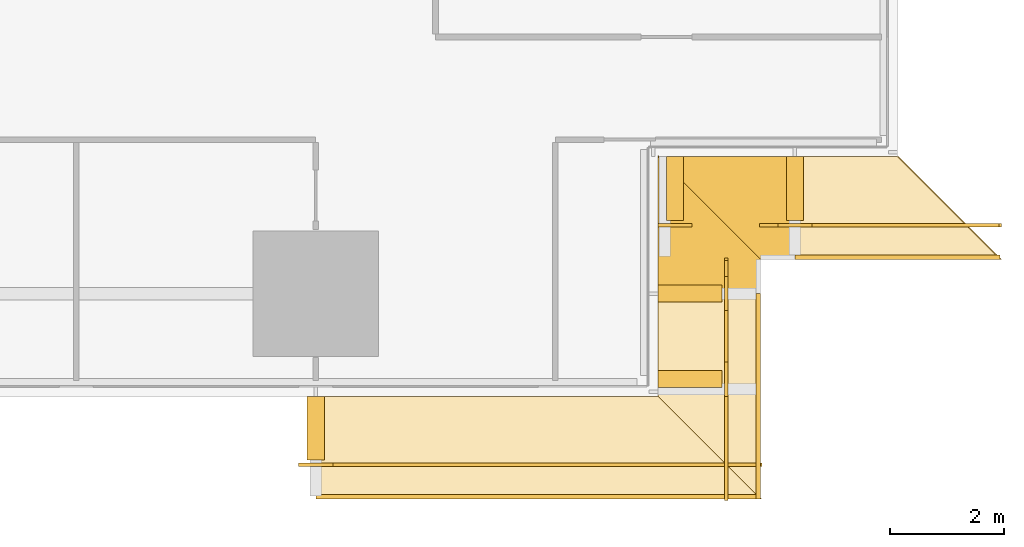
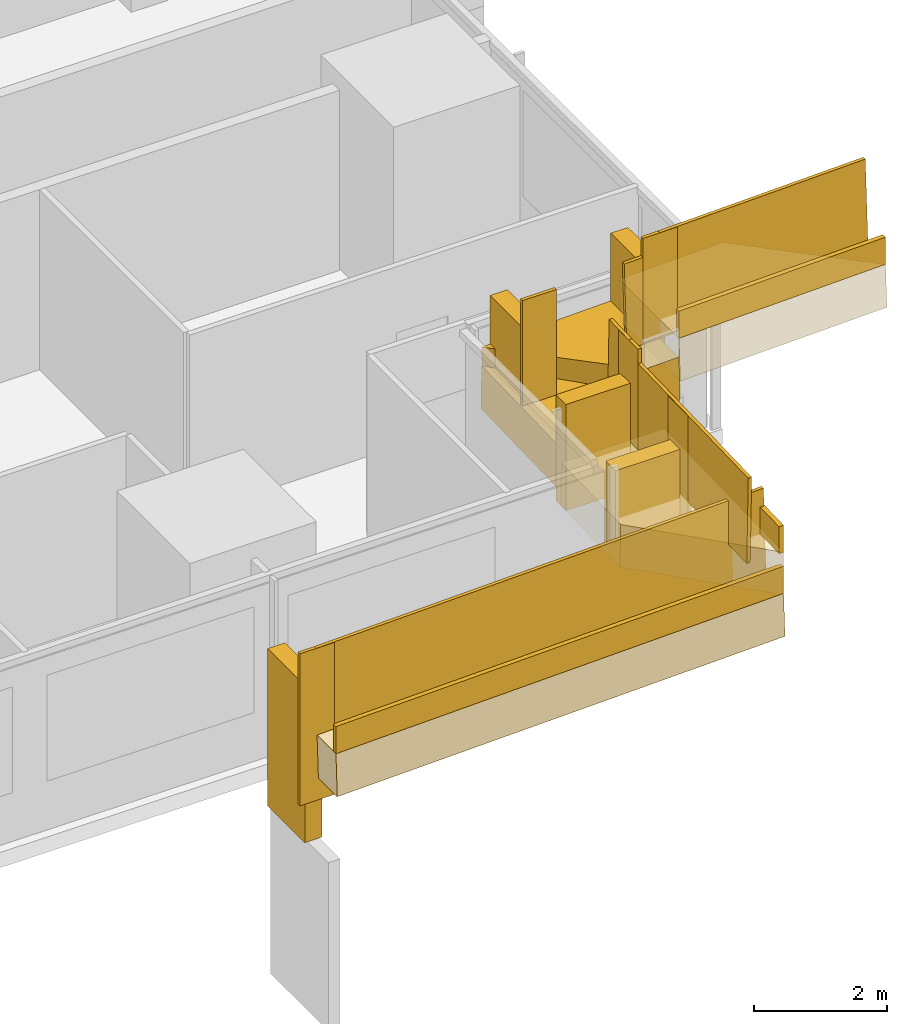
# One storey, part 27 of 29: 13 coverings, 10 railings.
"""IFC4 building model written with IfcOpenShell, lengths in metres."""

import ifcopenshell
import ifcopenshell.guid

model = None  # the IFC model being written
_history = None  # IfcOwnerHistory: only IFC2X3 demands one
_inside = {}  # id of a spatial element -> (the spatial element, [elements in it])
_under = {}  # id of a project, library or spatial element -> (it, [spatial elements below it])
_declared = {}  # id of a project -> (the project, [libraries it declares])
_typed = {}  # id of a type object -> (the type object, [elements of that type])
_made_of = {}  # id of a material, layer set ... -> (it, [elements and type objects made of it])


def new_model(schema):
    """Start an empty IFC model of exactly this schema.

    Asked for "IFC4X3", IfcOpenShell would pick the latest addendum, in which some entities
    have other attributes; the version numbers below select the first issue.
    IFC2X3 requires an IfcOwnerHistory on every rooted entity: one is made here for all.
    """
    global model, _history
    if schema == "IFC4X3":
        model = ifcopenshell.file(schema_version=(4, 3, 0, 0))
    else:
        model = ifcopenshell.file(schema=schema)
    _inside.clear()
    _under.clear()
    _declared.clear()
    _typed.clear()
    _made_of.clear()
    _history = None
    if model.schema == "IFC2X3":
        org = make("IfcOrganization", Name="unknown")
        user = make(
            "IfcPersonAndOrganization",
            ThePerson=make("IfcPerson", FamilyName="unknown"),
            TheOrganization=org,
        )
        app = make(
            "IfcApplication",
            ApplicationDeveloper=org,
            Version="unknown",
            ApplicationFullName="unknown",
            ApplicationIdentifier="unknown",
        )
        _history = make(
            "IfcOwnerHistory",
            OwningUser=user,
            OwningApplication=app,
            ChangeAction="ADDED",
            CreationDate=0,
        )
    return model


def make(cls, **values):
    """One entity of the class cls with the attributes given. An attribute that is None is left unset."""
    return model.create_entity(
        cls, **{name: value for name, value in values.items() if value is not None}
    )


def rooted(cls, **values):
    """An entity with a GlobalId (a new one), such as an element, a storey or a relation."""
    return make(cls, GlobalId=ifcopenshell.guid.new(), OwnerHistory=_history, **values)


def si_unit(unit_type, name, prefix=None):
    """IfcSIUnit, for example si_unit("LENGTHUNIT", "METRE", prefix="MILLI")."""
    return make("IfcSIUnit", UnitType=unit_type, Prefix=prefix, Name=name)


def assignment(units):
    """IfcUnitAssignment: the units of a project."""
    return None if units is None else make("IfcUnitAssignment", Units=units)


def point(xyz):
    """IfcCartesianPoint."""
    return None if xyz is None else make("IfcCartesianPoint", Coordinates=xyz)


def direction(xyz):
    """IfcDirection."""
    return None if xyz is None else make("IfcDirection", DirectionRatios=xyz)


def frame(location, z_axis=None, x_axis=None):
    """IfcAxis2Placement3D, a coordinate frame: its origin and axes. An axis left out is left unset."""
    return make(
        "IfcAxis2Placement3D",
        Location=point(location),
        Axis=direction(z_axis),
        RefDirection=direction(x_axis),
    )


def frame_2d(location, x_axis=None):
    """IfcAxis2Placement2D, a coordinate frame in the plane: its origin and x axis."""
    return make(
        "IfcAxis2Placement2D", Location=point(location), RefDirection=direction(x_axis)
    )


def origin():
    """The frame at (0, 0, 0) with its axes left unset."""
    return frame((0.0, 0.0, 0.0))


def origin_2d():
    """The frame at (0, 0) in the plane with its x axis left unset."""
    return frame_2d((0.0, 0.0))


def place(relative_to, where):
    """IfcLocalPlacement: puts the frame where relative to a parent placement (None: the world)."""
    return make(
        "IfcLocalPlacement", PlacementRelTo=relative_to, RelativePlacement=where
    )


def context(
    kind, dimensions, precision=None, world=None, true_north=None, identifier=None
):
    """IfcGeometricRepresentationContext, for example the 3D "Model" context."""
    return make(
        "IfcGeometricRepresentationContext",
        ContextIdentifier=identifier,
        ContextType=kind,
        CoordinateSpaceDimension=dimensions,
        Precision=precision,
        WorldCoordinateSystem=world,
        TrueNorth=true_north,
    )


def subcontext(parent, identifier, kind, view, scale=None):
    """IfcGeometricRepresentationSubContext, for example "Body" below "Model"."""
    return make(
        "IfcGeometricRepresentationSubContext",
        ContextIdentifier=identifier,
        ContextType=kind,
        ParentContext=parent,
        TargetScale=scale,
        TargetView=view,
    )


def project(units=None, contexts=None):
    """IfcProject with its units and contexts."""
    return rooted(
        "IfcProject",
        Name="project",
        RepresentationContexts=contexts,
        UnitsInContext=assignment(units),
    )


def spatial(cls, under=None, at=None, **own):
    """A site, building, storey or space (cls), placed at a placement, below another one or the project."""
    s = rooted(cls, ObjectPlacement=at, **own)
    if under is not None:
        _under.setdefault(under.id(), (under, []))[1].append(s)
    return s


def polyline(points):
    """IfcPolyline through the points."""
    return make("IfcPolyline", Points=[point(p) for p in points])


def profile(cls, at=None, kind="AREA", **sizes):
    """A parametric profile (cls). Its sizes go by their IFC names, for example OverallWidth=200.0."""
    return make(cls, ProfileType=kind, Position=at, **sizes)


def rectangle(**sizes):
    """IfcRectangleProfileDef."""
    return profile("IfcRectangleProfileDef", **sizes)


def outline(outer, holes=None, kind="AREA"):
    """IfcArbitraryClosedProfileDef: a profile drawn as a closed curve; with holes, ...WithVoids."""
    if holes is None:
        return make("IfcArbitraryClosedProfileDef", ProfileType=kind, OuterCurve=outer)
    return make(
        "IfcArbitraryProfileDefWithVoids",
        ProfileType=kind,
        OuterCurve=outer,
        InnerCurves=holes,
    )


def extrude(swept, where, along, depth):
    """IfcExtrudedAreaSolid: the profile swept, set in the frame where, extruded along a direction by depth."""
    return make(
        "IfcExtrudedAreaSolid",
        SweptArea=swept,
        Position=where,
        ExtrudedDirection=direction(along),
        Depth=depth,
    )


def shape(context_of_items, identifier, shape_type, items):
    """IfcShapeRepresentation: the items that make up one representation, for example the "Body"."""
    return make(
        "IfcShapeRepresentation",
        ContextOfItems=context_of_items,
        RepresentationIdentifier=identifier,
        RepresentationType=shape_type,
        Items=items,
    )


def material(Name=None, Category=None):
    """IfcMaterial."""
    return make("IfcMaterial", Name=Name, Category=Category)


def layer(
    of_material, thickness, ventilated=None, Name=None, Category=None, Priority=None
):
    """IfcMaterialLayer: one layer of a wall or slab, of a material (None: an air gap)."""
    return make(
        "IfcMaterialLayer",
        Material=of_material,
        LayerThickness=thickness,
        IsVentilated=ventilated,
        Name=Name,
        Category=Category,
        Priority=Priority,
    )


def layer_set(layers, Name=None):
    """IfcMaterialLayerSet."""
    return make("IfcMaterialLayerSet", MaterialLayers=layers, LayerSetName=Name)


def made_of(thing, what):
    """Note that an element or type object is made of a material, layer set ...; save() writes the relation."""
    if what is not None:
        _made_of.setdefault(what.id(), (what, []))[1].append(thing)
    return thing


def type_object(cls, material=None, **own):
    """A type object (cls), such as IfcWallType, which elements share."""
    return made_of(rooted(cls, **own), material)


def element(
    cls,
    number,
    at=None,
    inside=None,
    cuts=None,
    type_object=None,
    material=None,
    context=None,
    identifier="Body",
    shape_type=None,
    held_by="IfcProductDefinitionShape",
    body=None,
    shapes=None,
    **own,
):
    """One element of the class cls, such as IfcWall. Its Tag is "e" and its number.

    at: its placement. inside: the storey or other place that contains it. cuts: it is an
    opening in that element (IfcRelVoidsElement). A single representation is given by context,
    identifier, shape_type and body (its items); several are given by shapes. held_by: the class
    of the entity that holds the representations. save() writes the other relations.
    """
    e = rooted(cls, Tag="e%d" % number, ObjectPlacement=at, **own)
    if body is not None:
        shapes = [shape(context, identifier, shape_type, body)]
    if shapes is not None:
        e.Representation = make(held_by, Representations=shapes)
    if inside is not None:
        _inside.setdefault(inside.id(), (inside, []))[1].append(e)
    if cuts is not None:
        rooted(
            "IfcRelVoidsElement", RelatingBuildingElement=cuts, RelatedOpeningElement=e
        )
    if type_object is not None:
        _typed.setdefault(type_object.id(), (type_object, []))[1].append(e)
    return made_of(e, material)


def aggregate(whole, parts):
    """IfcRelAggregates: a whole, such as a stair, and the parts it consists of."""
    return rooted("IfcRelAggregates", RelatingObject=whole, RelatedObjects=parts)


def save(model, path):
    """Write the relations noted so far, then the file.

    IfcRelAggregates (storeys below a building ...), IfcRelContainedInSpatialStructure (elements
    in a storey), IfcRelDefinesByType, IfcRelAssociatesMaterial and IfcRelDeclares: one each for
    every whole, place, type object, material and project.
    """
    for whole, parts in _under.values():
        aggregate(whole, parts)
    for where, things in _inside.values():
        rooted(
            "IfcRelContainedInSpatialStructure",
            RelatedElements=things,
            RelatingStructure=where,
        )
    for kind, things in _typed.values():
        rooted("IfcRelDefinesByType", RelatedObjects=things, RelatingType=kind)
    for what, things in _made_of.values():
        rooted("IfcRelAssociatesMaterial", RelatedObjects=things, RelatingMaterial=what)
    for by, libraries in _declared.values():
        rooted("IfcRelDeclares", RelatingContext=by, RelatedDefinitions=libraries)
    model.write(path)


model = new_model("IFC4")

# Units and contexts
model_context = context("Model", 3, precision=1e-05, world=origin(), true_north=direction((0.0, 1.0)))
body_context = subcontext(model_context, "Body", "Model", "MODEL_VIEW")
ifc_project = project(units=[si_unit("LENGTHUNIT", "METRE"), si_unit("AREAUNIT", "SQUARE_METRE"), si_unit("VOLUMEUNIT", "CUBIC_METRE"), si_unit("PLANEANGLEUNIT", "RADIAN"), si_unit("MASSUNIT", "GRAM", prefix="KILO")], contexts=[model_context])

# Site, building, storey
site_placement = place(None, origin())
site = spatial("IfcSite", under=ifc_project, at=site_placement, CompositionType="ELEMENT")
building_placement = place(site_placement, origin())
building = spatial("IfcBuilding", under=site, at=building_placement, Name="Saffron Gate Tower", CompositionType="ELEMENT")
storey_placement = place(building_placement, frame((0.0, 0.0, 48.0)))
storey = spatial("IfcBuildingStorey", under=building, at=storey_placement, Name="L10", CompositionType="ELEMENT", Elevation=48.0)

# Coverings
ifc_material = material(Name="Timber, thermally modified ash", Category="wood")
ifc_layer_1 = layer(ifc_material, 0.800048828125)
ifc_layer_set_1 = layer_set([ifc_layer_1], Name="LD1 ledge timber")
covering_type_1 = type_object("IfcCoveringType", Name="LD1 ledge timber", PredefinedType="CLADDING", material=ifc_layer_set_1)
covering_1_placement = place(storey_placement, frame((117.0, 30.0, 1.2265625), z_axis=(-0.028789477025, -2.391759e-05, 0.999585496814), x_axis=(0.9995854971, 1.72e-10, 0.028789477033)))
element("IfcCovering", 1, at=covering_1_placement, inside=storey, type_object=covering_type_1, Name="LEDGE", PredefinedType="CLADDING", context=body_context, shape_type="SweptSolid", body=[
    extrude(outline(polyline([(0.0, 0.0), (6.002489288687248, 8.470329472543003e-22), (7.80328207139786, -1.8000488299785034), (-3.0879623774719253e-10, -1.8000488276101398), (0.0, 0.0)])), origin(), (0.0, 0.0, -1.0), 0.800048828125),
])
covering_2_placement = place(storey_placement, frame((123.0, 30.0, 2.2568359375), z_axis=(0.0, -0.028741681402, 0.999586872538), x_axis=(0.0, 0.999586872538, 0.028741681402)))
element("IfcCovering", 2, at=covering_2_placement, inside=storey, type_object=covering_type_1, Name="LEDGE", PredefinedType="CLADDING", context=body_context, shape_type="SweptSolid", body=[
    extrude(outline(polyline([(0.0, 0.0), (1.8007927850779974, 0.0), (1.8007927850779974, -1.800048828125), (-1.8007927850779974, -1.800048828125), (0.0, 0.0)])), origin(), (0.0, 0.0, -1.0), 0.800048828125),
])
covering_3_placement = place(storey_placement, frame((123.0, 31.800048828125, 2.56591796875), z_axis=(-2.8677152e-05, -0.028798988267, 0.999585222706), x_axis=(-6.17e-10, 0.999585223117, 0.028798988279)))
element("IfcCovering", 3, at=covering_3_placement, inside=storey, type_object=covering_type_1, Name="LEDGE", PredefinedType="CLADDING", context=body_context, shape_type="SweptSolid", body=[
    extrude(outline(polyline([(0.0, 0.0), (2.400896693585025, 4.235164736271502e-22), (0.6001039103565923, -1.8000488292351675), (-1.1098572600196767e-09, -1.8000488273848385), (0.0, 0.0)])), origin(), (0.0, 0.0, -1.0), 0.800048828125),
])
covering_4_placement = place(storey_placement, frame((123.0, 34.199951171875, 2.97802734375), z_axis=(-0.028798988267, -2.8677152e-05, 0.999585222706), x_axis=(0.999585223117, -6.17e-10, 0.028798988279)))
element("IfcCovering", 4, at=covering_4_placement, inside=storey, type_object=covering_type_1, Name="LEDGE", PredefinedType="CLADDING", context=body_context, shape_type="SweptSolid", body=[
    extrude(outline(polyline([(0.0, 0.0), (2.400896693585025, -4.235164736271502e-22), (2.400896694694882, -1.8000488273848385), (1.8007927832284332, -1.8000488292351673), (0.0, 0.0)])), origin(), (0.0, 0.0, -1.0), 0.800048828125),
])
covering_5_placement = place(storey_placement, frame((125.39990234375, 34.199951171875, 3.39013671875), z_axis=(-0.028786835276, 4.5191264e-05, 0.999585572161), x_axis=(0.999585573182, 2.041e-09, 0.028786835305)))
element("IfcCovering", 5, at=covering_5_placement, inside=storey, type_object=covering_type_1, Name="LEDGE", PredefinedType="CLADDING", context=body_context, shape_type="SweptSolid", body=[
    extrude(outline(polyline([(0.0, 0.0), (1.8007927832406818, 0.0), (3.601592590842695, -1.8000488373153904), (-3.674631647332522e-09, -1.800048826286925), (0.0, 0.0)])), origin(), (0.0, 0.0, -1.0), 0.800048828125),
])
ifc_layer_2 = layer(ifc_material, 0.080078125)
ifc_layer_set_2 = layer_set([ifc_layer_2], Name="LD2 ledge planter trough")
covering_type_2 = type_object("IfcCoveringType", Name="LD2 ledge planter trough", PredefinedType="CLADDING", material=ifc_layer_set_2)
covering_6_placement = place(storey_placement, frame((117.0, 28.199951171875, 1.2265625), z_axis=(0.0, -1.0, 0.0), x_axis=(0.999585655924, 0.0, 0.028783962047)))
element("IfcCovering", 6, at=covering_6_placement, inside=storey, type_object=covering_type_2, Name="LEDGE planter trough", PredefinedType="CLADDING", context=body_context, shape_type="SweptSolid", body=[
    extrude(outline(polyline([(0.0, 0.0), (7.803282071825423, 2.7755575615628914e-17), (7.817674052849086, 0.4997928279619612), (0.014391981023662846, 0.4997928279619612), (0.0, 0.0)])), origin(), (0.0, 0.0, -1.0), 0.080078125),
])
covering_7_placement = place(storey_placement, frame((124.800048828125, 28.199951171875, 2.205078125), z_axis=(1.0, 0.0, 0.0), x_axis=(0.0, 0.999586872538, 0.028741681402)))
element("IfcCovering", 7, at=covering_7_placement, inside=storey, type_object=covering_type_2, Name="LEDGE planter trough", PredefinedType="CLADDING", context=body_context, shape_type="SweptSolid", body=[
    extrude(outline(polyline([(0.0, 0.0), (3.601585570155995, 0.0), (3.6159564108570694, 0.49979343626896944), (0.014370840701074394, 0.4997934362689694), (0.0, 0.0)])), origin(), (0.0, 0.0, -1.0), 0.080078125),
])
covering_8_placement = place(storey_placement, frame((125.39990234375, 32.39990234375, 3.39013671875), z_axis=(0.0, -1.0, 0.0), x_axis=(0.99958492274, 0.0, 0.028809412191)))
element("IfcCovering", 8, at=covering_8_placement, inside=storey, type_object=covering_type_2, Name="LEDGE planter trough", PredefinedType="CLADDING", context=body_context, shape_type="SweptSolid", body=[
    extrude(outline(polyline([(0.0, 0.0), (3.601592595435983, 0.0), (3.6159973015313485, 0.4997924613700232), (0.014404706095365512, 0.4997924613700232), (0.0, 0.0)])), origin(), (0.0, 0.0, -1.0), 0.080078125),
])
ifc_layer_3 = layer(ifc_material, 0.300048828125)
ifc_layer_set_3 = layer_set([ifc_layer_3], Name="LD3 ledge riser fin")
covering_type_3 = type_object("IfcCoveringType", Name="LD3 ledge riser fin", PredefinedType="CLADDING", material=ifc_layer_set_3)
covering_9_placement = place(storey_placement, frame((117.0, 29.43994140625, -0.773681640625), z_axis=(0.0, 0.0, 1.0), x_axis=(1.0, 0.0, 0.0)))
element("IfcCovering", 9, at=covering_9_placement, inside=storey, type_object=covering_type_3, Name="LEDGE riser fin", PredefinedType="CLADDING", context=body_context, shape_type="SweptSolid", body=[
    extrude(rectangle(XDim=0.300048828125, YDim=1.1201171875, at=origin_2d()), origin(), (0.0, 0.0, 1.0), 2.900390625),
])
covering_10_placement = place(storey_placement, frame((123.56005859375, 30.300048828125, 0.599609375), z_axis=(0.0, 0.0, 1.0), x_axis=(0.0, 1.0, 0.0)))
element("IfcCovering", 10, at=covering_10_placement, inside=storey, type_object=covering_type_3, Name="LEDGE riser fin", PredefinedType="CLADDING", context=body_context, shape_type="SweptSolid", body=[
    extrude(rectangle(XDim=0.300048828125, YDim=1.1201171875, at=origin_2d()), origin(), (0.0, 0.0, 1.0), 2.557373046875),
])
covering_11_placement = place(storey_placement, frame((123.56005859375, 31.800048828125, 1.5087890625), z_axis=(0.0, 0.0, 1.0), x_axis=(0.0, 1.0, 0.0)))
element("IfcCovering", 11, at=covering_11_placement, inside=storey, type_object=covering_type_3, Name="LEDGE riser fin", PredefinedType="CLADDING", context=body_context, shape_type="SweptSolid", body=[
    extrude(rectangle(XDim=0.300048828125, YDim=1.1201171875, at=origin_2d()), origin(), (0.0, 0.0, 1.0), 1.957275390625),
])
for number, where, z_axis, x_axis, name in (
    (12, (123.300048828125, 33.639892578125, 1.8349609375), (0.0, 0.0, 1.0), (1.0, 0.0, 0.0), "LEDGE riser fin"),
    (13, (125.39990234375, 33.639892578125, 2.2470703125), (0.0, 0.0, 1.0), (1.0, 0.0, 0.0), "LEDGE riser fin"),
):
    element("IfcCovering", number, at=place(storey_placement, frame(where, z_axis=z_axis, x_axis=x_axis)), inside=storey, type_object=covering_type_3, Name=name, PredefinedType="CLADDING", context=body_context, shape_type="SweptSolid", body=[
        extrude(rectangle(XDim=0.300048828125, YDim=1.1201171875, at=origin_2d()), origin(), (0.0, 0.0, 1.0), 2.04296875),
    ])

# Railings
railing_type = type_object("IfcRailingType", Name="LG1 ledge balustrade", PredefinedType="BALUSTRADE", material=ifc_material)
railing_1_placement = place(storey_placement, frame((117.0, 28.800048828125, 1.2265625)))
element("IfcRailing", 14, at=railing_1_placement, inside=storey, type_object=railing_type, Name="LEDGE BALUSTRADE", PredefinedType="BALUSTRADE", context=body_context, shape_type="SweptSolid", body=[
    extrude(rectangle(XDim=0.06005859375, YDim=1.60009765625, at=origin_2d()), frame((0.0, 0.0, 0.800048828125), z_axis=(0.999585655924, 0.0, 0.028783962047), x_axis=(0.0, 1.0, 0.0)), (0.0, 0.0, 1.0), 7.80322265625),
])
railing_2_placement = place(storey_placement, frame((116.699951171875, 28.800048828125, 0.026123046875)))
element("IfcRailing", 15, at=railing_2_placement, inside=storey, type_object=railing_type, Name="LEDGE BALUSTRADE", PredefinedType="BALUSTRADE", context=body_context, shape_type="SweptSolid", body=[
    extrude(rectangle(XDim=0.06005859375, YDim=2.80029296875, at=origin_2d()), frame((0.0, 0.0, 1.400146484375), z_axis=(1.0, 0.0, 0.0), x_axis=(0.0, 1.0, 0.0)), (0.0, 0.0, 1.0), 0.60009765625),
])
railing_3_placement = place(storey_placement, frame((124.199951171875, 28.199951171875, 2.205078125)))
element("IfcRailing", 16, at=railing_3_placement, inside=storey, type_object=railing_type, Name="LEDGE BALUSTRADE", PredefinedType="BALUSTRADE", context=body_context, shape_type="SweptSolid", body=[
    extrude(rectangle(XDim=0.06005859375, YDim=1.60009765625, at=origin_2d()), frame((0.0, 0.0, 0.800048828125), z_axis=(0.0, 0.999586872538, 0.028741681402), x_axis=(-1.0, 0.0, 0.0)), (0.0, 0.0, 1.0), 3.6015625),
])
railing_4_placement = place(storey_placement, frame((124.199951171875, 30.0, 1.3994140625)))
element("IfcRailing", 17, at=railing_4_placement, inside=storey, type_object=railing_type, Name="LEDGE BALUSTRADE", PredefinedType="BALUSTRADE", context=body_context, shape_type="SweptSolid", body=[
    extrude(rectangle(XDim=0.06005859375, YDim=2.45751953125, at=origin_2d()), frame((0.0, 0.0, 1.228759765625), z_axis=(0.0, 1.0, 0.0), x_axis=(-1.0, 0.0, 0.0)), (0.0, 0.0, 1.0), 0.60009765625),
])
railing_5_placement = place(storey_placement, frame((124.199951171875, 31.800048828125, 2.56591796875)))
element("IfcRailing", 18, at=railing_5_placement, inside=storey, type_object=railing_type, Name="LEDGE BALUSTRADE", PredefinedType="BALUSTRADE", context=body_context, shape_type="SweptSolid", body=[
    extrude(rectangle(XDim=0.06005859375, YDim=1.60009765625, at=origin_2d()), frame((0.0, 0.0, 0.800048828125), z_axis=(0.0, 0.999582742162, 0.028884971385), x_axis=(-1.0, 0.0, 0.0)), (0.0, 0.0, 1.0), 0.60009765625),
])
railing_6_placement = place(storey_placement, frame((124.199951171875, 31.5, 2.30859375)))
element("IfcRailing", 19, at=railing_6_placement, inside=storey, type_object=railing_type, Name="LEDGE BALUSTRADE", PredefinedType="BALUSTRADE", context=body_context, shape_type="SweptSolid", body=[
    extrude(rectangle(XDim=0.06005859375, YDim=1.857177734375, at=origin_2d()), frame((0.0, 0.0, 0.9287109375), z_axis=(0.0, 1.0, 0.0), x_axis=(-1.0, 0.0, 0.0)), (0.0, 0.0, 1.0), 0.60009765625),
])
railing_7_placement = place(storey_placement, frame((124.800048828125, 33.0, 3.02978515625)))
element("IfcRailing", 20, at=railing_7_placement, inside=storey, type_object=railing_type, Name="LEDGE BALUSTRADE", PredefinedType="BALUSTRADE", context=body_context, shape_type="SweptSolid", body=[
    extrude(rectangle(XDim=0.06005859375, YDim=1.60009765625, at=origin_2d()), frame((0.0, 0.0, 0.800048828125), z_axis=(0.999582742162, 0.0, 0.028884971385), x_axis=(0.0, 1.0, 0.0)), (0.0, 0.0, 1.0), 0.60009765625),
])
railing_8_placement = place(storey_placement, frame((123.0, 33.0, 2.635009765625)))
element("IfcRailing", 21, at=railing_8_placement, inside=storey, type_object=railing_type, Name="LEDGE BALUSTRADE", PredefinedType="BALUSTRADE", context=body_context, shape_type="SweptSolid", body=[
    extrude(rectangle(XDim=0.06005859375, YDim=1.943115234375, at=origin_2d()), frame((0.0, 0.0, 0.9716796875), z_axis=(1.0, 0.0, 0.0), x_axis=(0.0, 1.0, 0.0)), (0.0, 0.0, 1.0), 0.60009765625),
])
railing_9_placement = place(storey_placement, frame((125.39990234375, 33.0, 3.39013671875)))
element("IfcRailing", 22, at=railing_9_placement, inside=storey, type_object=railing_type, Name="LEDGE BALUSTRADE", PredefinedType="BALUSTRADE", context=body_context, shape_type="SweptSolid", body=[
    extrude(rectangle(XDim=0.06005859375, YDim=1.60009765625, at=origin_2d()), frame((0.0, 0.0, 0.800048828125), z_axis=(0.99958492274, 0.0, 0.028809412191), x_axis=(0.0, 1.0, 0.0)), (0.0, 0.0, 1.0), 3.6015625),
])
railing_10_placement = place(storey_placement, frame((125.10009765625, 33.0, 3.047119140625)))
element("IfcRailing", 23, at=railing_10_placement, inside=storey, type_object=railing_type, Name="LEDGE BALUSTRADE", PredefinedType="BALUSTRADE", context=body_context, shape_type="SweptSolid", body=[
    extrude(rectangle(XDim=0.06005859375, YDim=1.943115234375, at=origin_2d()), frame((0.0, 0.0, 0.9716796875), z_axis=(1.0, 0.0, 0.0), x_axis=(0.0, 1.0, 0.0)), (0.0, 0.0, 1.0), 0.599853515625),
])

save(model, "model.ifc")
